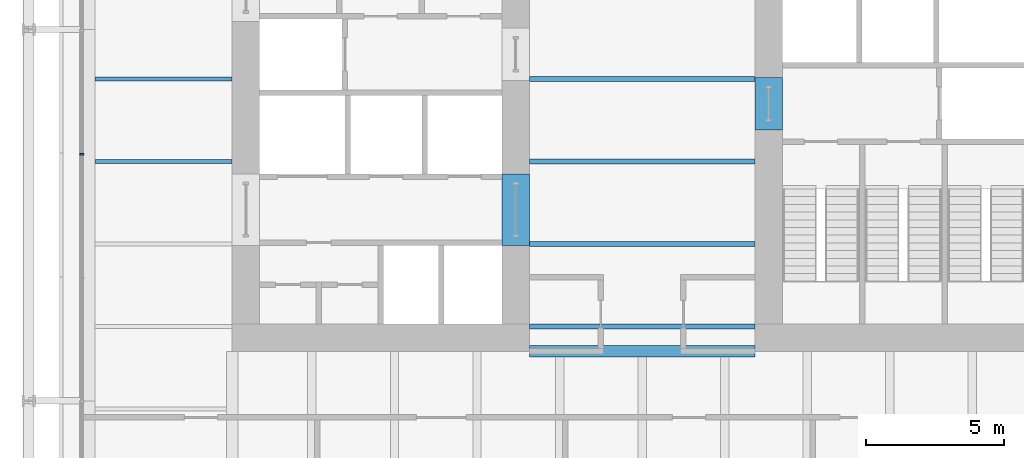
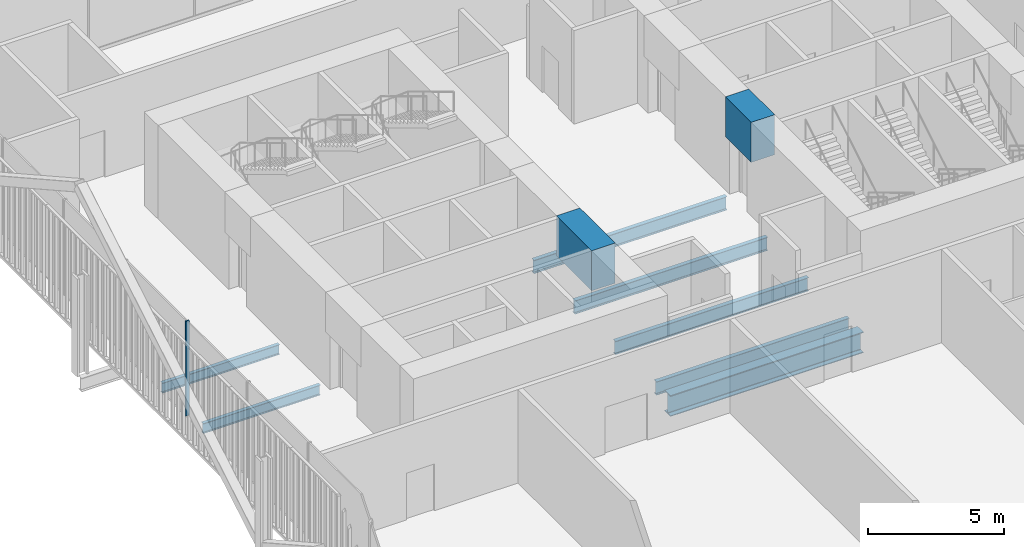
# One storey, part 7 of 21: 9 beams, 1 member, 1 element without a shape of its own.
"""IFC4 building model written with IfcOpenShell, lengths in metres."""

from ifc_helpers import new_model, si_unit, direction, frame, origin, origin_2d, place, context, subcontext, project, spatial, rectangle, i_section, extrude, material, layer, layer_set, material_profile, profile_set, type_object, element, aggregate, save


model = new_model("IFC4")

# Units and contexts
model_context = context("Model", 3, precision=1e-05, world=origin(), true_north=direction((0.0, 1.0)))
body_context = subcontext(model_context, "Body", "Model", "MODEL_VIEW")
ifc_project = project(units=[si_unit("LENGTHUNIT", "METRE"), si_unit("AREAUNIT", "SQUARE_METRE"), si_unit("VOLUMEUNIT", "CUBIC_METRE"), si_unit("PLANEANGLEUNIT", "RADIAN"), si_unit("MASSUNIT", "GRAM", prefix="KILO")], contexts=[model_context])

# Site, building, storey
site_placement = place(None, origin())
site = spatial("IfcSite", under=ifc_project, at=site_placement, CompositionType="ELEMENT")
building_placement = place(site_placement, origin())
building = spatial("IfcBuilding", under=site, at=building_placement, Name="Millrace Tower", CompositionType="ELEMENT")
storey_placement = place(building_placement, frame((0.0, 0.0, 104.0)))
storey = spatial("IfcBuildingStorey", under=building, at=storey_placement, Name="L23", CompositionType="ELEMENT", Elevation=104.0)

# Curtain wall, member
ifc_material_1 = material(Name="Aluminium and glass", Category="aluminium")
ifc_layer = layer(ifc_material_1, 0.14990234375)
ifc_layer_set = layer_set([ifc_layer], Name="Aluminium and glass")
curtain_wall_type = type_object("IfcCurtainWallType", Name="CW-3 telecom floor curtain wall", PredefinedType="NOTDEFINED", material=ifc_layer_set)
curtain_wall_placement = place(storey_placement, origin())
curtain_wall = element("IfcCurtainWall", 1, at=curtain_wall_placement, inside=storey, type_object=curtain_wall_type, Name="Curtain wall B-F08 L23", PredefinedType="NOTDEFINED")
ifc_material_2 = material(Name="Aluminium", Category="aluminium")
ifc_material_profile_1 = material_profile(ifc_material_2, rectangle(XDim=0.06494140625, YDim=0.14990234375, at=origin_2d()))
ifc_profile_set_1 = profile_set([ifc_material_profile_1], Name="Aluminium")
member_type = type_object("IfcMemberType", Name="CW-3 telecom floor curtain wall mullion", PredefinedType="MULLION", material=ifc_profile_set_1)
member_placement = place(storey_placement, frame((-20.375, -2.732421875, 0.14990234375), z_axis=(0.0, 0.0, 1.0), x_axis=(0.0, -1.0, 0.0)))
member = element("IfcMember", 2, at=member_placement, type_object=member_type, Name="CW3 mullion B-F08.5", PredefinedType="MULLION", context=body_context, shape_type="SweptSolid", body=[
    extrude(rectangle(XDim=0.06494140625, YDim=0.14990234375, at=origin_2d()), origin(), (0.0, 0.0, 1.0), 4.25),
])
aggregate(curtain_wall, [member])

# Beams
ifc_material_3 = material(Name="Concrete C80", Category="concrete")
ifc_material_profile_2 = material_profile(ifc_material_3, rectangle(XDim=1.0, YDim=1.800048828125, at=origin_2d()))
ifc_profile_set_2 = profile_set([ifc_material_profile_2], Name="Concrete C80")
beam_type_1 = type_object("IfcBeamType", Name="Coupling beam 1000 x 1800 Concrete C80, 1300 opening", PredefinedType="BEAM", material=ifc_profile_set_2)
beam_1_placement = place(storey_placement, frame((4.60009765625, 0.050048828125, 3.300048828125), z_axis=(0.0, -1.0, 0.0), x_axis=(1.0, 0.0, 0.0)))
element("IfcBeam", 3, at=beam_1_placement, inside=storey, type_object=beam_type_1, Name="Coupling beam E L23", PredefinedType="BEAM", context=body_context, shape_type="SweptSolid", body=[
    extrude(rectangle(XDim=1.0, YDim=1.800048828125, at=origin_2d()), origin(), (0.0, 0.0, 1.0), 1.900146484375),
])
ifc_material_4 = material(Name="Concrete C80", Category="concrete")
ifc_material_profile_3 = material_profile(ifc_material_4, rectangle(XDim=1.0, YDim=1.800048828125, at=origin_2d()))
ifc_profile_set_3 = profile_set([ifc_material_profile_3], Name="Concrete C80")
beam_type_2 = type_object("IfcBeamType", Name="Coupling beam 1000 x 1800 Concrete C80, 2000 opening", PredefinedType="BEAM", material=ifc_profile_set_3)
beam_2_placement = place(storey_placement, frame((-4.60009765625, -6.050048828125, 3.300048828125), z_axis=(0.0, 1.0, 0.0), x_axis=(-1.0, 0.0, 0.0)))
element("IfcBeam", 4, at=beam_2_placement, inside=storey, type_object=beam_type_2, Name="Coupling beam W L23", PredefinedType="BEAM", context=body_context, shape_type="SweptSolid", body=[
    extrude(rectangle(XDim=1.0, YDim=1.800048828125, at=origin_2d()), origin(), (0.0, 0.0, 1.0), 2.60009765625),
])
ifc_material_5 = material(Name="Steel ASTM A992 Grade 50", Category="steel")
ifc_material_profile_4 = material_profile(ifc_material_5, i_section(OverallWidth=0.15234375, OverallDepth=0.449462890625, WebThickness=0.007568359375, FlangeThickness=0.0107421875, FilletRadius=0.01025390625, at=origin_2d()))
ifc_profile_set_4 = profile_set([ifc_material_profile_4], Name="Steel ASTM A992 Grade 50")
beam_type_3 = type_object("IfcBeamType", Name="Floor beam W18x35", PredefinedType="JOIST", material=ifc_profile_set_4)
for number, where, z_axis, x_axis, name in (
    (5, (-19.880859375, -3.0, -0.4248046875), (1.0, 0.0, 0.0), (0.0, 1.0, 0.0), "BM-B-L23-S1-S020"),
    (6, (-19.880859375, 0.0, -0.4248046875), (1.0, 0.0, 0.0), (0.0, 1.0, 0.0), "BM-B-L23-S1-S023"),
):
    element("IfcBeam", number, at=place(storey_placement, frame(where, z_axis=z_axis, x_axis=x_axis)), inside=storey, type_object=beam_type_3, Name=name, PredefinedType="JOIST", context=body_context, shape_type="SweptSolid", body=[
        extrude(i_section(OverallWidth=0.15234375, OverallDepth=0.449462890625, WebThickness=0.007568359375, FlangeThickness=0.0107421875, FilletRadius=0.01025390625, at=origin_2d()), origin(), (0.0, 0.0, 1.0), 4.98095703125),
    ])
ifc_material_6 = material(Name="Steel ASTM A992 Grade 50", Category="steel")
ifc_material_profile_5 = material_profile(ifc_material_6, i_section(OverallWidth=0.177978515625, OverallDepth=0.599365234375, WebThickness=0.010009765625, FlangeThickness=0.012939453125, FilletRadius=0.012939453125, at=origin_2d()))
ifc_profile_set_5 = profile_set([ifc_material_profile_5], Name="Steel ASTM A992 Grade 50")
beam_type_4 = type_object("IfcBeamType", Name="Floor beam W24x55", PredefinedType="JOIST", material=ifc_profile_set_5)
for number, where, z_axis, x_axis, name in (
    (7, (-4.10009765625, -9.0, -0.499755859375), (1.0, 0.0, 0.0), (0.0, 1.0, 0.0), "BM-B-L23-S1-S013"),
    (8, (-4.10009765625, -6.0, -0.499755859375), (1.0, 0.0, 0.0), (0.0, 1.0, 0.0), "BM-B-L23-S1-S016"),
    (9, (-4.10009765625, -3.0, -0.499755859375), (1.0, 0.0, 0.0), (0.0, 1.0, 0.0), "BM-B-L23-S1-S019"),
    (10, (-4.10009765625, 0.0, -0.499755859375), (1.0, 0.0, 0.0), (0.0, 1.0, 0.0), "BM-B-L23-S1-S022"),
):
    element("IfcBeam", number, at=place(storey_placement, frame(where, z_axis=z_axis, x_axis=x_axis)), inside=storey, type_object=beam_type_4, Name=name, PredefinedType="JOIST", context=body_context, shape_type="SweptSolid", body=[
        extrude(i_section(OverallWidth=0.177978515625, OverallDepth=0.599365234375, WebThickness=0.010009765625, FlangeThickness=0.012939453125, FilletRadius=0.012939453125, at=origin_2d()), origin(), (0.0, 0.0, 1.0), 8.2001953125),
    ])
ifc_material_7 = material(Name="Steel ASTM A992 Grade 50", Category="steel")
ifc_material_profile_6 = material_profile(ifc_material_7, i_section(OverallWidth=0.421630859375, OverallDepth=0.937255859375, WebThickness=0.021240234375, FlangeThickness=0.03662109375, FilletRadius=0.024169921875, at=origin_2d()))
ifc_profile_set_6 = profile_set([ifc_material_profile_6], Name="Steel ASTM A992 Grade 50")
beam_type_5 = type_object("IfcBeamType", Name="Girder short span W36x262", PredefinedType="BEAM", material=ifc_profile_set_6)
beam_3_placement = place(storey_placement, frame((-4.10009765625, -9.89990234375, -0.668701171875), z_axis=(1.0, 0.0, 0.0), x_axis=(0.0, 1.0, 0.0)))
element("IfcBeam", 11, at=beam_3_placement, inside=storey, type_object=beam_type_5, Name="BM-B-L23-S1-G063", PredefinedType="BEAM", context=body_context, shape_type="SweptSolid", body=[
    extrude(i_section(OverallWidth=0.421630859375, OverallDepth=0.937255859375, WebThickness=0.021240234375, FlangeThickness=0.03662109375, FilletRadius=0.024169921875, at=origin_2d()), origin(), (0.0, 0.0, 1.0), 8.2001953125),
])

save(model, "model.ifc")
